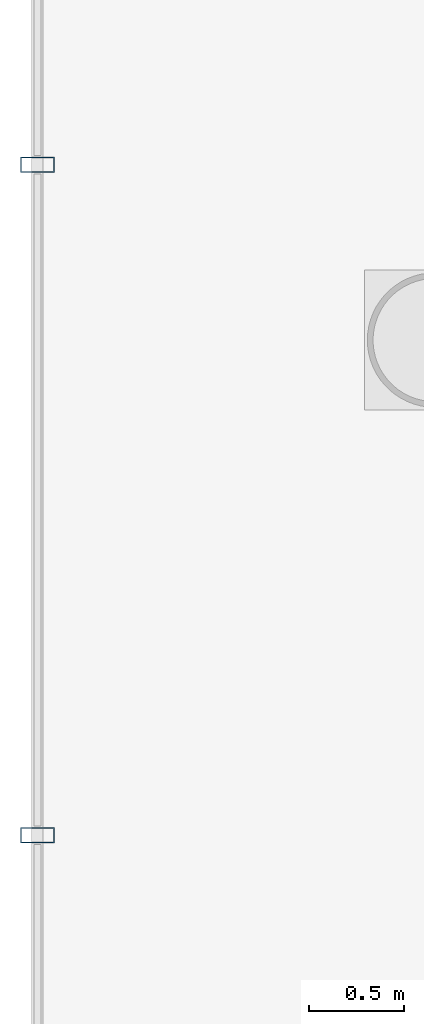
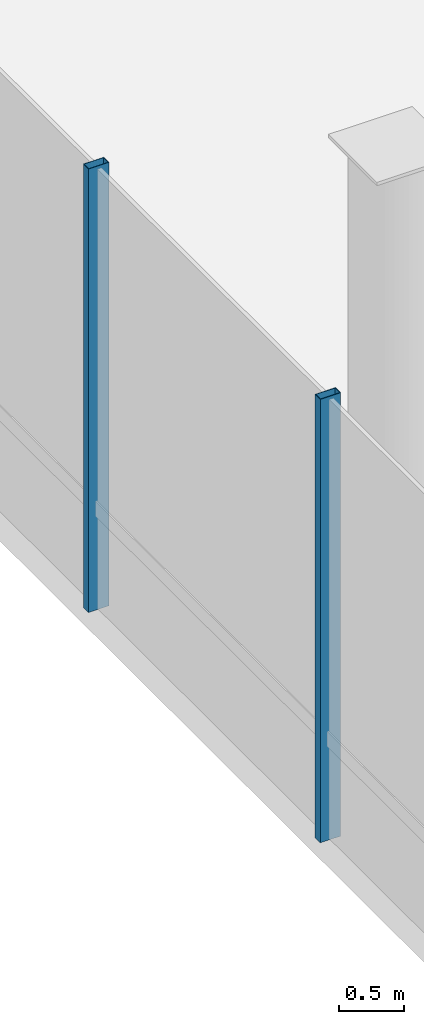
# One storey, part 8 of 43: 2 members, 1 element without a shape of its own.
"""IFC4 building model written with IfcOpenShell, lengths in metres."""

from ifc_helpers import new_model, si_unit, direction, frame, origin, origin_2d, place, context, subcontext, project, spatial, hollow_rectangle, extrude, material, layer, layer_set, material_profile, profile_set, type_object, element, aggregate, save


model = new_model("IFC4")

# Units and contexts
model_context = context("Model", 3, precision=1e-05, world=origin(), true_north=direction((0.0, 1.0)))
body_context = subcontext(model_context, "Body", "Model", "MODEL_VIEW")
ifc_project = project(units=[si_unit("LENGTHUNIT", "METRE"), si_unit("AREAUNIT", "SQUARE_METRE"), si_unit("VOLUMEUNIT", "CUBIC_METRE"), si_unit("PLANEANGLEUNIT", "RADIAN"), si_unit("MASSUNIT", "GRAM", prefix="KILO")], contexts=[model_context])

# Site, building, storey
site_placement = place(None, origin())
site = spatial("IfcSite", under=ifc_project, at=site_placement, CompositionType="ELEMENT")
building_placement = place(site_placement, origin())
building = spatial("IfcBuilding", under=site, at=building_placement, Name="Zarrinselat Tower", CompositionType="ELEMENT")
storey_placement = place(building_placement, frame((0.0, 0.0, 5.10009765625)))
storey = spatial("IfcBuildingStorey", under=building, at=storey_placement, Name="L01", CompositionType="ELEMENT", Elevation=5.10009765625)

# Curtain wall, members
ifc_material_1 = material(Name="Extruded Aluminium Alloy EN AW-6063 T6", Category="aluminium")
ifc_layer = layer(ifc_material_1, 0.2099609375)
ifc_layer_set = layer_set([ifc_layer], Name="Extruded Aluminium Alloy EN AW-6063 T6")
curtain_wall_type = type_object("IfcCurtainWallType", Name="CWS-POD", PredefinedType="NOTDEFINED", material=ifc_layer_set)
curtain_wall_placement = place(storey_placement, origin())
curtain_wall = element("IfcCurtainWall", 1, at=curtain_wall_placement, inside=storey, type_object=curtain_wall_type, Name="L01 Unitised Curtain Wall CW-L01-F7", PredefinedType="NOTDEFINED")
ifc_material_2 = material(Name="Extruded Aluminium Alloy EN AW-6063 T6", Category="aluminium")
ifc_material_profile = material_profile(ifc_material_2, hollow_rectangle(XDim=0.080078125, YDim=0.179931640625, WallThickness=0.0048828125, at=origin_2d()), Name="RHS 180x80x5")
ifc_profile_set = profile_set([ifc_material_profile], Name="Extruded Aluminium Alloy EN AW-6063 T6")
member_type = type_object("IfcMemberType", Name="MEM-CW-MUL", PredefinedType="MULLION", material=ifc_profile_set)
member_1_placement = place(storey_placement, frame((-2.5, 26.727294921875, 0.0), z_axis=(0.0, 0.0, 1.0), x_axis=(0.0, -1.0, 0.0)))
member_1 = element("IfcMember", 2, at=member_1_placement, type_object=member_type, Name="CW-L01-F7 Mullion 6", PredefinedType="MULLION", context=body_context, shape_type="SweptSolid", body=[
    extrude(hollow_rectangle(XDim=0.080078125, YDim=0.179931640625, WallThickness=0.0048828125, at=origin_2d()), origin(), (0.0, 0.0, 1.0), 4.139892578125),
])
member_2_placement = place(storey_placement, frame((-2.5, 23.181884765625, 0.0), z_axis=(0.0, 0.0, 1.0), x_axis=(0.0, -1.0, 0.0)))
member_2 = element("IfcMember", 3, at=member_2_placement, type_object=member_type, Name="CW-L01-F7 Mullion 7", PredefinedType="MULLION", context=body_context, shape_type="SweptSolid", body=[
    extrude(hollow_rectangle(XDim=0.080078125, YDim=0.179931640625, WallThickness=0.0048828125, at=origin_2d()), origin(), (0.0, 0.0, 1.0), 4.139892578125),
])
aggregate(curtain_wall, [member_1, member_2])

save(model, "model.ifc")
